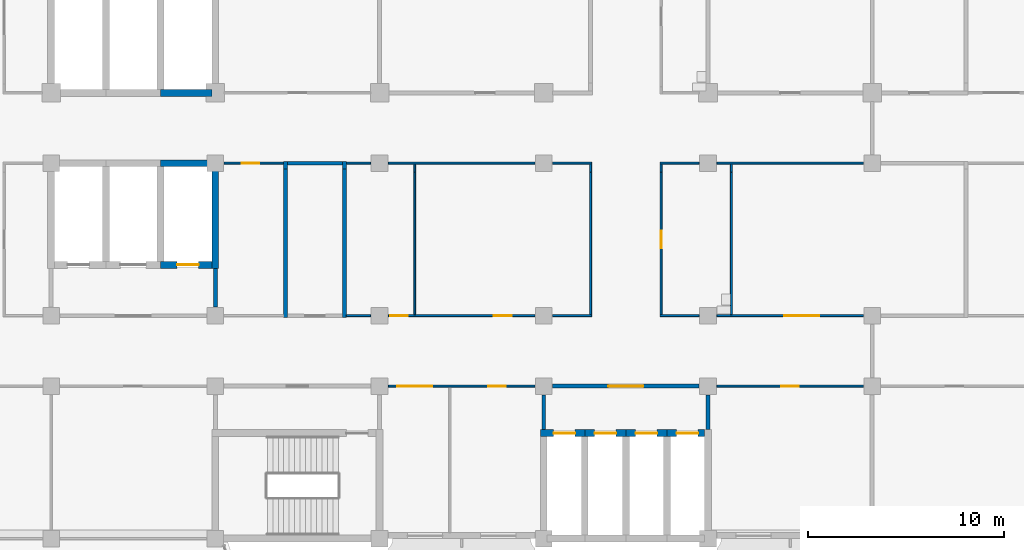
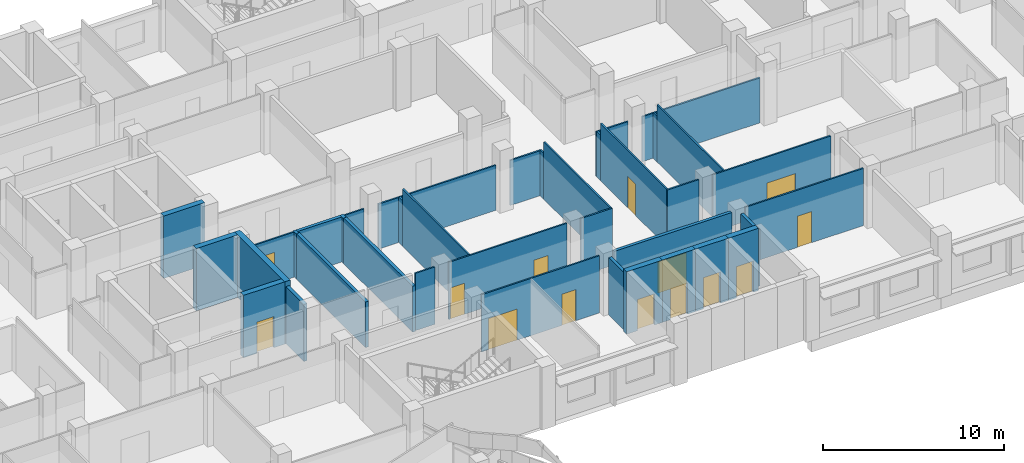
# One storey, part 59 of 109: 38 walls, 14 doors, 14 openings.
"""IFC4 building model written with IfcOpenShell, lengths in metres."""

from ifc_helpers import new_model, si_unit, direction, frame, frame_2d, origin, place, context, subcontext, project, spatial, rectangle, extrude, material, layer, layer_set, type_object, element, fill, save


model = new_model("IFC4")

# Units and contexts
model_context = context("Model", 3, precision=1e-05, world=origin(), true_north=direction((0.0, 1.0)))
body_context = subcontext(model_context, "Body", "Model", "MODEL_VIEW")
ifc_project = project(units=[si_unit("LENGTHUNIT", "METRE"), si_unit("AREAUNIT", "SQUARE_METRE"), si_unit("VOLUMEUNIT", "CUBIC_METRE"), si_unit("PLANEANGLEUNIT", "RADIAN"), si_unit("MASSUNIT", "GRAM", prefix="KILO")], contexts=[model_context])

# Site, building, storey
site_placement = place(None, origin())
site = spatial("IfcSite", under=ifc_project, at=site_placement, CompositionType="ELEMENT")
building_placement = place(site_placement, origin())
building = spatial("IfcBuilding", under=site, at=building_placement, Name="Bougainvillea Quay General Hospital", CompositionType="ELEMENT")
storey_placement = place(building_placement, frame((0.0, 0.0, 12.60009765625)))
storey = spatial("IfcBuildingStorey", under=building, at=storey_placement, Name="L02", CompositionType="ELEMENT", Elevation=12.60009765625)

# Wall, opening, door
ifc_material_1 = material(Name="Gypsum board partition on steel studs", Category="steel")
ifc_layer_1 = layer(ifc_material_1, 0.10009765625)
ifc_layer_set_1 = layer_set([ifc_layer_1], Name="Gypsum board partition on steel studs")
wall_type_1 = type_object("IfcWallType", Name="Partition 100 Gypsum board partition", PredefinedType="PARTITIONING", material=ifc_layer_set_1)
wall_1_placement = place(storey_placement, frame((79.10009765625, 136.800048828125, 0.0), z_axis=(0.0, 0.0, 1.0), x_axis=(-1.0, 0.0, 0.0)))
wall_1 = element("IfcWall", 1, at=wall_1_placement, inside=storey, type_object=wall_type_1, Name="Partition 100 mm", PredefinedType="PARTITIONING", context=body_context, shape_type="SweptSolid", body=[
    extrude(rectangle(XDim=3.050048828125, YDim=0.10009765625, at=frame_2d((1.52490234375, 0.0))), origin(), (0.0, 0.0, 1.0), 3.02978515625),
])
opening_1_placement = place(wall_1_placement, frame((1.25, 0.0, 0.0)))
opening_1 = element("IfcOpeningElement", 2, at=opening_1_placement, cuts=wall_1, Name="Opening L02.099", PredefinedType="OPENING", context=body_context, shape_type="SweptSolid", body=[
    extrude(rectangle(XDim=0.89990234375, YDim=2.10009765625, at=frame_2d((0.449951171875, 1.050048828125))), frame((0.0, 0.06005859375, 0.0), z_axis=(0.0, -1.0, 0.0), x_axis=(1.0, 0.0, 0.0)), (0.0, 0.0, 1.0), 0.1201171875),
])
ifc_material_2 = material(Name="Solid-core timber door leaf in steel frame", Category="steel")
door_type_1 = type_object("IfcDoorType", Name="Single leaf door 900x2100", OperationType="NOTDEFINED", PredefinedType="DOOR", material=ifc_material_2)
door_1_placement = place(opening_1_placement, origin())
door_1 = element("IfcDoor", 3, at=door_1_placement, inside=storey, type_object=door_type_1, Name="DT07 L02.099", OperationType="SINGLE_SWING_RIGHT", OverallHeight=2.10009765625, OverallWidth=0.89990234375, PredefinedType="DOOR", context=body_context, shape_type="SweptSolid", body=[
    extrude(rectangle(XDim=0.89990234375, YDim=2.10009765625, at=frame_2d((0.449951171875, 1.050048828125))), frame((0.0, 0.02490234375, 0.0), z_axis=(0.0, -1.0, 0.0), x_axis=(1.0, 0.0, 0.0)), (0.0, 0.0, 1.0), 0.050048828125),
])
fill(opening_1, door_1)

# Wall
wall_2_placement = place(storey_placement, frame((82.300048828125, 129.0, 0.0), z_axis=(0.0, 0.0, 1.0), x_axis=(1.0, 0.0, 0.0)))
element("IfcWall", 4, at=wall_2_placement, inside=storey, type_object=wall_type_1, Name="Partition 100 mm", PredefinedType="PARTITIONING", context=body_context, shape_type="SweptSolid", body=[
    extrude(rectangle(XDim=1.25, YDim=0.10009765625, at=frame_2d((0.625, 0.0))), origin(), (0.0, 0.0, 1.0), 3.849853515625),
])

# Wall, openings, doors
wall_3_placement = place(storey_placement, frame((84.449951171875, 129.0, 0.0), z_axis=(0.0, 0.0, 1.0), x_axis=(1.0, 0.0, 0.0)))
wall_3 = element("IfcWall", 5, at=wall_3_placement, inside=storey, type_object=wall_type_1, Name="Partition 100 mm", PredefinedType="PARTITIONING", context=body_context, shape_type="SweptSolid", body=[
    extrude(rectangle(XDim=7.5, YDim=0.10009765625, at=frame_2d((3.75, 0.0))), origin(), (0.0, 0.0, 1.0), 3.849853515625),
])
opening_2_placement = place(wall_3_placement, frame((0.10009765625, 0.0, 0.0)))
opening_2 = element("IfcOpeningElement", 6, at=opening_2_placement, cuts=wall_3, Name="Opening L02.101", PredefinedType="OPENING", context=body_context, shape_type="SweptSolid", body=[
    extrude(rectangle(XDim=0.89990234375, YDim=2.10009765625, at=frame_2d((0.449951171875, 1.050048828125))), frame((0.0, 0.06005859375, 0.0), z_axis=(0.0, -1.0, 0.0), x_axis=(1.0, 0.0, 0.0)), (0.0, 0.0, 1.0), 0.1201171875),
])
opening_3_placement = place(wall_3_placement, frame((5.39990234375, 0.0, 0.0)))
opening_3 = element("IfcOpeningElement", 7, at=opening_3_placement, cuts=wall_3, Name="Opening L02.102", PredefinedType="OPENING", context=body_context, shape_type="SweptSolid", body=[
    extrude(rectangle(XDim=0.89990234375, YDim=2.10009765625, at=frame_2d((0.449951171875, 1.050048828125))), frame((0.0, 0.06005859375, 0.0), z_axis=(0.0, -1.0, 0.0), x_axis=(1.0, 0.0, 0.0)), (0.0, 0.0, 1.0), 0.1201171875),
])
door_2_placement = place(opening_2_placement, origin())
door_2 = element("IfcDoor", 8, at=door_2_placement, inside=storey, type_object=door_type_1, Name="DT07 L02.101", OperationType="SINGLE_SWING_LEFT", OverallHeight=2.10009765625, OverallWidth=0.89990234375, PredefinedType="DOOR", context=body_context, shape_type="SweptSolid", body=[
    extrude(rectangle(XDim=0.89990234375, YDim=2.10009765625, at=frame_2d((0.449951171875, 1.050048828125))), frame((0.0, 0.02490234375, 0.0), z_axis=(0.0, -1.0, 0.0), x_axis=(1.0, 0.0, 0.0)), (0.0, 0.0, 1.0), 0.050048828125),
])
fill(opening_2, door_2)
door_3_placement = place(opening_3_placement, origin())
door_3 = element("IfcDoor", 9, at=door_3_placement, inside=storey, type_object=door_type_1, Name="DT07 L02.102", OperationType="SINGLE_SWING_RIGHT", OverallHeight=2.10009765625, OverallWidth=0.89990234375, PredefinedType="DOOR", context=body_context, shape_type="SweptSolid", body=[
    extrude(rectangle(XDim=0.89990234375, YDim=2.10009765625, at=frame_2d((0.449951171875, 1.050048828125))), frame((0.0, 0.02490234375, 0.0), z_axis=(0.0, -1.0, 0.0), x_axis=(1.0, 0.0, 0.0)), (0.0, 0.0, 1.0), 0.050048828125),
])
fill(opening_3, door_3)

# Walls
wall_4_placement = place(storey_placement, frame((92.85009765625, 129.0, 0.0), z_axis=(0.0, 0.0, 1.0), x_axis=(1.0, 0.0, 0.0)))
element("IfcWall", 10, at=wall_4_placement, inside=storey, type_object=wall_type_1, Name="Partition 100 mm", PredefinedType="PARTITIONING", context=body_context, shape_type="SweptSolid", body=[
    extrude(rectangle(XDim=2.0, YDim=0.10009765625, at=frame_2d((1.0, 0.0))), origin(), (0.0, 0.0, 1.0), 3.849853515625),
])
wall_5_placement = place(storey_placement, frame((82.300048828125, 136.800048828125, 0.0), z_axis=(0.0, 0.0, 1.0), x_axis=(1.0, 0.0, 0.0)))
element("IfcWall", 11, at=wall_5_placement, inside=storey, type_object=wall_type_1, Name="Partition 100 mm", PredefinedType="PARTITIONING", context=body_context, shape_type="SweptSolid", body=[
    extrude(rectangle(XDim=1.25, YDim=0.10009765625, at=frame_2d((0.625, 0.0))), origin(), (0.0, 0.0, 1.0), 3.02978515625),
])
wall_6_placement = place(storey_placement, frame((84.449951171875, 136.800048828125, 0.0), z_axis=(0.0, 0.0, 1.0), x_axis=(1.0, 0.0, 0.0)))
element("IfcWall", 12, at=wall_6_placement, inside=storey, type_object=wall_type_1, Name="Partition 100 mm", PredefinedType="PARTITIONING", context=body_context, shape_type="SweptSolid", body=[
    extrude(rectangle(XDim=7.5, YDim=0.10009765625, at=frame_2d((3.75, 0.0))), origin(), (0.0, 0.0, 1.0), 3.02978515625),
])
wall_7_placement = place(storey_placement, frame((92.85009765625, 136.800048828125, 0.0), z_axis=(0.0, 0.0, 1.0), x_axis=(1.0, 0.0, 0.0)))
element("IfcWall", 13, at=wall_7_placement, inside=storey, type_object=wall_type_1, Name="Partition 100 mm", PredefinedType="PARTITIONING", context=body_context, shape_type="SweptSolid", body=[
    extrude(rectangle(XDim=2.0, YDim=0.10009765625, at=frame_2d((1.0, 0.0))), origin(), (0.0, 0.0, 1.0), 3.02978515625),
])
wall_8_placement = place(storey_placement, frame((98.35009765625, 129.0, 0.0), z_axis=(0.0, 0.0, 1.0), x_axis=(1.0, 0.0, 0.0)))
element("IfcWall", 14, at=wall_8_placement, inside=storey, type_object=wall_type_1, Name="Partition 100 mm", PredefinedType="PARTITIONING", context=body_context, shape_type="SweptSolid", body=[
    extrude(rectangle(XDim=2.0, YDim=0.10009765625, at=frame_2d((1.0, 0.0))), origin(), (0.0, 0.0, 1.0), 3.849853515625),
])

# Wall, opening, door
wall_9_placement = place(storey_placement, frame((101.25, 129.0, 0.0), z_axis=(0.0, 0.0, 1.0), x_axis=(1.0, 0.0, 0.0)))
wall_9 = element("IfcWall", 15, at=wall_9_placement, inside=storey, type_object=wall_type_1, Name="Partition 100 mm", PredefinedType="PARTITIONING", context=body_context, shape_type="SweptSolid", body=[
    extrude(rectangle(XDim=7.5, YDim=0.10009765625, at=frame_2d((3.75, 0.0))), origin(), (0.0, 0.0, 1.0), 3.849853515625),
])
opening_4_placement = place(wall_9_placement, frame((3.449951171875, 0.0, 0.0)))
opening_4 = element("IfcOpeningElement", 16, at=opening_4_placement, cuts=wall_9, Name="Opening L02.104", PredefinedType="OPENING", context=body_context, shape_type="SweptSolid", body=[
    extrude(rectangle(XDim=1.800048828125, YDim=2.10009765625, at=frame_2d((0.89990234375, 1.050048828125))), frame((0.0, 0.06005859375, 0.0), z_axis=(0.0, -1.0, 0.0), x_axis=(1.0, 0.0, 0.0)), (0.0, 0.0, 1.0), 0.1201171875),
])
ifc_material_3 = material(Name="Solid-core timber door leaves in steel frame", Category="steel")
door_type_2 = type_object("IfcDoorType", Name="Double leaf door 1800x2100", OperationType="DOUBLE_DOOR_SINGLE_SWING", PredefinedType="DOOR", material=ifc_material_3)
door_4_placement = place(opening_4_placement, origin())
door_4 = element("IfcDoor", 17, at=door_4_placement, inside=storey, type_object=door_type_2, Name="DT08 L02.104", OperationType="DOUBLE_DOOR_SINGLE_SWING", OverallHeight=2.10009765625, OverallWidth=1.800048828125, PredefinedType="DOOR", context=body_context, shape_type="SweptSolid", body=[
    extrude(rectangle(XDim=1.800048828125, YDim=2.10009765625, at=frame_2d((0.89990234375, 1.050048828125))), frame((0.0, 0.02490234375, 0.0), z_axis=(0.0, -1.0, 0.0), x_axis=(1.0, 0.0, 0.0)), (0.0, 0.0, 1.0), 0.050048828125),
])
fill(opening_4, door_4)

# Walls
wall_10_placement = place(storey_placement, frame((98.35009765625, 136.800048828125, 0.0), z_axis=(0.0, 0.0, 1.0), x_axis=(1.0, 0.0, 0.0)))
element("IfcWall", 18, at=wall_10_placement, inside=storey, type_object=wall_type_1, Name="Partition 100 mm", PredefinedType="PARTITIONING", context=body_context, shape_type="SweptSolid", body=[
    extrude(rectangle(XDim=2.0, YDim=0.10009765625, at=frame_2d((1.0, 0.0))), origin(), (0.0, 0.0, 1.0), 3.02978515625),
])
wall_11_placement = place(storey_placement, frame((101.25, 136.800048828125, 0.0), z_axis=(0.0, 0.0, 1.0), x_axis=(1.0, 0.0, 0.0)))
element("IfcWall", 19, at=wall_11_placement, inside=storey, type_object=wall_type_1, Name="Partition 100 mm", PredefinedType="PARTITIONING", context=body_context, shape_type="SweptSolid", body=[
    extrude(rectangle(XDim=7.5, YDim=0.10009765625, at=frame_2d((3.75, 0.0))), origin(), (0.0, 0.0, 1.0), 3.02978515625),
])

# Wall, openings, doors
wall_12_placement = place(storey_placement, frame((91.949951171875, 125.39990234375, 0.0), z_axis=(0.0, 0.0, 1.0), x_axis=(-1.0, 0.0, 0.0)))
wall_12 = element("IfcWall", 20, at=wall_12_placement, inside=storey, type_object=wall_type_1, Name="Partition 100 mm", PredefinedType="PARTITIONING", context=body_context, shape_type="SweptSolid", body=[
    extrude(rectangle(XDim=7.5, YDim=0.10009765625, at=frame_2d((3.75, 0.0))), origin(), (0.0, 0.0, 1.0), 3.849853515625),
])
opening_5_placement = place(wall_12_placement, frame((5.2509765625, 0.0, 0.0)))
opening_5 = element("IfcOpeningElement", 21, at=opening_5_placement, cuts=wall_12, Name="Opening L02.095", PredefinedType="OPENING", context=body_context, shape_type="SweptSolid", body=[
    extrude(rectangle(XDim=1.800048828125, YDim=2.10009765625, at=frame_2d((0.89990234375, 1.050048828125))), frame((0.0, 0.06005859375, 0.0), z_axis=(0.0, -1.0, 0.0), x_axis=(1.0, 0.0, 0.0)), (0.0, 0.0, 1.0), 0.1201171875),
])
opening_6_placement = place(wall_12_placement, frame((1.501953125, 0.0, 0.0)))
opening_6 = element("IfcOpeningElement", 22, at=opening_6_placement, cuts=wall_12, Name="Opening L02.096", PredefinedType="OPENING", context=body_context, shape_type="SweptSolid", body=[
    extrude(rectangle(XDim=0.89990234375, YDim=2.10009765625, at=frame_2d((0.449951171875, 1.050048828125))), frame((0.0, 0.06005859375, 0.0), z_axis=(0.0, -1.0, 0.0), x_axis=(1.0, 0.0, 0.0)), (0.0, 0.0, 1.0), 0.1201171875),
])
door_5_placement = place(opening_5_placement, origin())
door_5 = element("IfcDoor", 23, at=door_5_placement, inside=storey, type_object=door_type_2, Name="DT08 L02.095", OperationType="DOUBLE_DOOR_SINGLE_SWING", OverallHeight=2.10009765625, OverallWidth=1.800048828125, PredefinedType="DOOR", context=body_context, shape_type="SweptSolid", body=[
    extrude(rectangle(XDim=1.800048828125, YDim=2.10009765625, at=frame_2d((0.89990234375, 1.050048828125))), frame((0.0, 0.02490234375, 0.0), z_axis=(0.0, -1.0, 0.0), x_axis=(1.0, 0.0, 0.0)), (0.0, 0.0, 1.0), 0.050048828125),
])
fill(opening_5, door_5)
door_6_placement = place(opening_6_placement, origin())
door_6 = element("IfcDoor", 24, at=door_6_placement, inside=storey, type_object=door_type_1, Name="DT07 L02.096", OperationType="SINGLE_SWING_LEFT", OverallHeight=2.10009765625, OverallWidth=0.89990234375, PredefinedType="DOOR", context=body_context, shape_type="SweptSolid", body=[
    extrude(rectangle(XDim=0.89990234375, YDim=2.10009765625, at=frame_2d((0.449951171875, 1.050048828125))), frame((0.0, 0.02490234375, 0.0), z_axis=(0.0, -1.0, 0.0), x_axis=(1.0, 0.0, 0.0)), (0.0, 0.0, 1.0), 0.050048828125),
])
fill(opening_6, door_6)

# Wall, opening, door
wall_13_placement = place(storey_placement, frame((101.25, 125.39990234375, 0.0), z_axis=(0.0, 0.0, 1.0), x_axis=(1.0, 0.0, 0.0)))
wall_13 = element("IfcWall", 25, at=wall_13_placement, inside=storey, type_object=wall_type_1, Name="Partition 100 mm", PredefinedType="PARTITIONING", context=body_context, shape_type="SweptSolid", body=[
    extrude(rectangle(XDim=7.5, YDim=0.10009765625, at=frame_2d((3.75, 0.0))), origin(), (0.0, 0.0, 1.0), 3.849853515625),
])
opening_7_placement = place(wall_13_placement, frame((3.299072265625, 0.0, 0.0)))
opening_7 = element("IfcOpeningElement", 26, at=opening_7_placement, cuts=wall_13, Name="Opening L02.097", PredefinedType="OPENING", context=body_context, shape_type="SweptSolid", body=[
    extrude(rectangle(XDim=0.89990234375, YDim=2.10009765625, at=frame_2d((0.449951171875, 1.050048828125))), frame((0.0, 0.06005859375, 0.0), z_axis=(0.0, -1.0, 0.0), x_axis=(1.0, 0.0, 0.0)), (0.0, 0.0, 1.0), 0.1201171875),
])
door_7_placement = place(opening_7_placement, frame((0.89990234375, 0.0, 0.0), z_axis=(0.0, 0.0, 1.0), x_axis=(-1.0, 0.0, 0.0)))
door_7 = element("IfcDoor", 27, at=door_7_placement, inside=storey, type_object=door_type_1, Name="DT07 L02.097", OperationType="SINGLE_SWING_RIGHT", OverallHeight=2.10009765625, OverallWidth=0.89990234375, PredefinedType="DOOR", context=body_context, shape_type="SweptSolid", body=[
    extrude(rectangle(XDim=0.89990234375, YDim=2.10009765625, at=frame_2d((0.449951171875, 1.050048828125))), frame((0.0, 0.02490234375, 0.0), z_axis=(0.0, -1.0, 0.0), x_axis=(1.0, 0.0, 0.0)), (0.0, 0.0, 1.0), 0.050048828125),
])
fill(opening_7, door_7)

# Walls
wall_14_placement = place(storey_placement, frame((85.800048828125, 129.050048828125, 0.0), z_axis=(0.0, 0.0, 1.0), x_axis=(0.0, 1.0, 0.0)))
element("IfcWall", 28, at=wall_14_placement, inside=storey, type_object=wall_type_1, Name="Partition 100 mm", PredefinedType="PARTITIONING", context=body_context, shape_type="SweptSolid", body=[
    extrude(rectangle(XDim=7.300048828125, YDim=0.10009765625, at=frame_2d((3.64990234375, 0.0))), origin(), (0.0, 0.0, 1.0), 3.849853515625),
])
wall_15_placement = place(storey_placement, frame((85.800048828125, 136.35009765625, 0.0), z_axis=(0.0, 0.0, 1.0), x_axis=(0.0, 1.0, 0.0)))
element("IfcWall", 29, at=wall_15_placement, inside=storey, type_object=wall_type_1, Name="Partition 100 mm", PredefinedType="PARTITIONING", context=body_context, shape_type="SweptSolid", body=[
    extrude(rectangle(XDim=0.39990234375, YDim=0.10009765625, at=frame_2d((0.199951171875, 0.0))), origin(), (0.0, 0.0, 1.0), 3.079833984375),
])
wall_16_placement = place(storey_placement, frame((94.800048828125, 129.050048828125, 0.0), z_axis=(0.0, 0.0, 1.0), x_axis=(0.0, 1.0, 0.0)))
element("IfcWall", 30, at=wall_16_placement, inside=storey, type_object=wall_type_1, Name="Partition 100 mm", PredefinedType="PARTITIONING", context=body_context, shape_type="SweptSolid", body=[
    extrude(rectangle(XDim=7.300048828125, YDim=0.10009765625, at=frame_2d((3.64990234375, 0.0))), origin(), (0.0, 0.0, 1.0), 3.849853515625),
])
wall_17_placement = place(storey_placement, frame((94.800048828125, 136.35009765625, 0.0), z_axis=(0.0, 0.0, 1.0), x_axis=(0.0, 1.0, 0.0)))
element("IfcWall", 31, at=wall_17_placement, inside=storey, type_object=wall_type_1, Name="Partition 100 mm", PredefinedType="PARTITIONING", context=body_context, shape_type="SweptSolid", body=[
    extrude(rectangle(XDim=0.39990234375, YDim=0.10009765625, at=frame_2d((0.199951171875, 0.0))), origin(), (0.0, 0.0, 1.0), 3.079833984375),
])

# Wall, opening, door
wall_18_placement = place(storey_placement, frame((98.39990234375, 129.050048828125, 0.0), z_axis=(0.0, 0.0, 1.0), x_axis=(0.0, 1.0, 0.0)))
wall_18 = element("IfcWall", 32, at=wall_18_placement, inside=storey, type_object=wall_type_1, Name="Partition 100 mm", PredefinedType="PARTITIONING", context=body_context, shape_type="SweptSolid", body=[
    extrude(rectangle(XDim=7.300048828125, YDim=0.10009765625, at=frame_2d((3.64990234375, 0.0))), origin(), (0.0, 0.0, 1.0), 3.849853515625),
])
opening_8_placement = place(wall_18_placement, frame((3.39990234375, 0.0, 0.0)))
opening_8 = element("IfcOpeningElement", 33, at=opening_8_placement, cuts=wall_18, Name="Opening L02.103", PredefinedType="OPENING", context=body_context, shape_type="SweptSolid", body=[
    extrude(rectangle(XDim=0.89990234375, YDim=2.10009765625, at=frame_2d((0.449951171875, 1.050048828125))), frame((0.0, 0.06005859375, 0.0), z_axis=(0.0, -1.0, 0.0), x_axis=(1.0, 0.0, 0.0)), (0.0, 0.0, 1.0), 0.1201171875),
])
door_8_placement = place(opening_8_placement, frame((0.89990234375, 0.0, 0.0), z_axis=(0.0, 0.0, 1.0), x_axis=(-1.0, 0.0, 0.0)))
door_8 = element("IfcDoor", 34, at=door_8_placement, inside=storey, type_object=door_type_1, Name="DT07 L02.103", OperationType="SINGLE_SWING_LEFT", OverallHeight=2.10009765625, OverallWidth=0.89990234375, PredefinedType="DOOR", context=body_context, shape_type="SweptSolid", body=[
    extrude(rectangle(XDim=0.89990234375, YDim=2.10009765625, at=frame_2d((0.449951171875, 1.050048828125))), frame((0.0, 0.02490234375, 0.0), z_axis=(0.0, -1.0, 0.0), x_axis=(1.0, 0.0, 0.0)), (0.0, 0.0, 1.0), 0.050048828125),
])
fill(opening_8, door_8)

# Walls
wall_19_placement = place(storey_placement, frame((98.39990234375, 136.35009765625, 0.0), z_axis=(0.0, 0.0, 1.0), x_axis=(0.0, 1.0, 0.0)))
element("IfcWall", 35, at=wall_19_placement, inside=storey, type_object=wall_type_1, Name="Partition 100 mm", PredefinedType="PARTITIONING", context=body_context, shape_type="SweptSolid", body=[
    extrude(rectangle(XDim=0.39990234375, YDim=0.10009765625, at=frame_2d((0.199951171875, 0.0))), origin(), (0.0, 0.0, 1.0), 3.079833984375),
])
wall_20_placement = place(storey_placement, frame((102.0, 129.050048828125, 0.0), z_axis=(0.0, 0.0, 1.0), x_axis=(0.0, 1.0, 0.0)))
element("IfcWall", 36, at=wall_20_placement, inside=storey, type_object=wall_type_1, Name="Partition 100 mm", PredefinedType="PARTITIONING", context=body_context, shape_type="SweptSolid", body=[
    extrude(rectangle(XDim=7.300048828125, YDim=0.10009765625, at=frame_2d((3.64990234375, 0.0))), origin(), (0.0, 0.0, 1.0), 3.849853515625),
])
wall_21_placement = place(storey_placement, frame((102.0, 136.35009765625, 0.0), z_axis=(0.0, 0.0, 1.0), x_axis=(0.0, 1.0, 0.0)))
element("IfcWall", 37, at=wall_21_placement, inside=storey, type_object=wall_type_1, Name="Partition 100 mm", PredefinedType="PARTITIONING", context=body_context, shape_type="SweptSolid", body=[
    extrude(rectangle(XDim=0.39990234375, YDim=0.10009765625, at=frame_2d((0.199951171875, 0.0))), origin(), (0.0, 0.0, 1.0), 3.079833984375),
])

# Wall, opening, door
ifc_material_4 = material(Name="Fire-rated autoclaved aerated block wall, plastered")
ifc_layer_2 = layer(ifc_material_4, 0.199951171875)
ifc_layer_set_2 = layer_set([ifc_layer_2], Name="Fire-rated autoclaved aerated block wall, plastered")
wall_type_2 = type_object("IfcWallType", Name="Partition 200 Fire-rated autoclaved aerated block wall EI 120", PredefinedType="SOLIDWALL", material=ifc_layer_set_2)
wall_22_placement = place(storey_placement, frame((92.85009765625, 125.39990234375, 0.0), z_axis=(0.0, 0.0, 1.0), x_axis=(1.0, 0.0, 0.0)))
wall_22 = element("IfcWall", 38, at=wall_22_placement, inside=storey, type_object=wall_type_2, Name="Partition 200 mm EI 120", PredefinedType="SOLIDWALL", context=body_context, shape_type="SweptSolid", body=[
    extrude(rectangle(XDim=7.5, YDim=0.199951171875, at=frame_2d((3.75, 0.0))), origin(), (0.0, 0.0, 1.0), 3.849853515625),
])
opening_9_placement = place(wall_22_placement, frame((2.85009765625, 0.0, 0.0)))
opening_9 = element("IfcOpeningElement", 39, at=opening_9_placement, cuts=wall_22, Name="Opening L02.048", PredefinedType="OPENING", context=body_context, shape_type="SweptSolid", body=[
    extrude(rectangle(XDim=1.800048828125, YDim=2.10009765625, at=frame_2d((0.89990234375, 1.050048828125))), frame((0.0, 0.10986328125, 0.0), z_axis=(0.0, -1.0, 0.0), x_axis=(1.0, 0.0, 0.0)), (0.0, 0.0, 1.0), 0.219970703125),
])
ifc_material_5 = material(Name="Steel fire door leaves in steel frame", Category="steel")
door_type_3 = type_object("IfcDoorType", Name="Steel double leaf door 1800x2100 FD60", OperationType="DOUBLE_DOOR_SINGLE_SWING", PredefinedType="DOOR", material=ifc_material_5)
door_9_placement = place(opening_9_placement, frame((1.800048828125, 0.0, 0.0), z_axis=(0.0, 0.0, 1.0), x_axis=(-1.0, 0.0, 0.0)))
door_9 = element("IfcDoor", 40, at=door_9_placement, inside=storey, type_object=door_type_3, Name="DT05 L02.048", OperationType="DOUBLE_DOOR_SINGLE_SWING", OverallHeight=2.10009765625, OverallWidth=1.800048828125, PredefinedType="DOOR", context=body_context, shape_type="SweptSolid", body=[
    extrude(rectangle(XDim=1.800048828125, YDim=2.10009765625, at=frame_2d((0.89990234375, 1.050048828125))), frame((0.0, 0.02490234375, 0.0), z_axis=(0.0, -1.0, 0.0), x_axis=(1.0, 0.0, 0.0)), (0.0, 0.0, 1.0), 0.050048828125),
])
fill(opening_9, door_9)

# Walls
wall_23_placement = place(storey_placement, frame((75.60009765625, 129.449951171875, 0.0), z_axis=(0.0, 0.0, 1.0), x_axis=(0.0, 1.0, 0.0)))
element("IfcWall", 41, at=wall_23_placement, inside=storey, type_object=wall_type_2, Name="Partition 200 mm EI 120", PredefinedType="SOLIDWALL", context=body_context, shape_type="SweptSolid", body=[
    extrude(rectangle(XDim=1.97509765625, YDim=0.199951171875, at=frame_2d((0.987548828125, 0.0))), origin(), (0.0, 0.0, 1.0), 3.849853515625),
])
for number, where, z_axis, x_axis, name in (
    (42, (92.39990234375, 123.175048828125, 0.0), (0.0, 0.0, 1.0), (0.0, 1.0, 0.0), "Partition 200 mm EI 120"),
    (43, (100.800048828125, 123.175048828125, 0.0), (0.0, 0.0, 1.0), (0.0, 1.0, 0.0), "Partition 200 mm EI 120"),
):
    element("IfcWall", number, at=place(storey_placement, frame(where, z_axis=z_axis, x_axis=x_axis)), inside=storey, type_object=wall_type_2, Name=name, PredefinedType="SOLIDWALL", context=body_context, shape_type="SweptSolid", body=[
        extrude(rectangle(XDim=1.77490234375, YDim=0.199951171875, at=frame_2d((0.887451171875, 0.0))), origin(), (0.0, 0.0, 1.0), 3.849853515625),
    ])
ifc_layer_3 = layer(ifc_material_4, 0.199951171875)
ifc_layer_set_3 = layer_set([ifc_layer_3], Name="Fire-rated autoclaved aerated block wall, plastered")
wall_type_3 = type_object("IfcWallType", Name="Partition 200 Fire-rated autoclaved aerated block wall EI 60", PredefinedType="SOLIDWALL", material=ifc_layer_set_3)
wall_24_placement = place(storey_placement, frame((79.199951171875, 128.89990234375, 0.0), z_axis=(0.0, 0.0, 1.0), x_axis=(0.0, 1.0, 0.0)))
element("IfcWall", 44, at=wall_24_placement, inside=storey, type_object=wall_type_3, Name="Partition 200 mm EI 60", PredefinedType="SOLIDWALL", context=body_context, shape_type="SweptSolid", body=[
    extrude(rectangle(XDim=7.60009765625, YDim=0.199951171875, at=frame_2d((3.800048828125, 0.0))), origin(), (0.0, 0.0, 1.0), 3.079833984375),
])
wall_25_placement = place(storey_placement, frame((79.199951171875, 136.5, 0.0), z_axis=(0.0, 0.0, 1.0), x_axis=(0.0, 1.0, 0.0)))
element("IfcWall", 45, at=wall_25_placement, inside=storey, type_object=wall_type_3, Name="Partition 200 mm EI 60", PredefinedType="SOLIDWALL", context=body_context, shape_type="SweptSolid", body=[
    extrude(rectangle(XDim=0.39990234375, YDim=0.199951171875, at=frame_2d((0.199951171875, 0.0))), origin(), (0.0, 0.0, 1.0), 3.02978515625),
])
wall_26_placement = place(storey_placement, frame((82.199951171875, 128.89990234375, 0.0), z_axis=(0.0, 0.0, 1.0), x_axis=(0.0, 1.0, 0.0)))
element("IfcWall", 46, at=wall_26_placement, inside=storey, type_object=wall_type_3, Name="Partition 200 mm EI 60", PredefinedType="SOLIDWALL", context=body_context, shape_type="SweptSolid", body=[
    extrude(rectangle(XDim=7.60009765625, YDim=0.199951171875, at=frame_2d((3.800048828125, 0.0))), origin(), (0.0, 0.0, 1.0), 3.079833984375),
])
wall_27_placement = place(storey_placement, frame((82.199951171875, 136.5, 0.0), z_axis=(0.0, 0.0, 1.0), x_axis=(0.0, 1.0, 0.0)))
element("IfcWall", 47, at=wall_27_placement, inside=storey, type_object=wall_type_3, Name="Partition 200 mm EI 60", PredefinedType="SOLIDWALL", context=body_context, shape_type="SweptSolid", body=[
    extrude(rectangle(XDim=0.39990234375, YDim=0.199951171875, at=frame_2d((0.199951171875, 0.0))), origin(), (0.0, 0.0, 1.0), 3.02978515625),
])
wall_28_placement = place(storey_placement, frame((79.300048828125, 136.800048828125, 0.0), z_axis=(0.0, 0.0, 1.0), x_axis=(1.0, 0.0, 0.0)))
element("IfcWall", 48, at=wall_28_placement, inside=storey, type_object=wall_type_3, Name="Partition 200 mm EI 60", PredefinedType="SOLIDWALL", context=body_context, shape_type="SweptSolid", body=[
    extrude(rectangle(XDim=2.800048828125, YDim=0.199951171875, at=frame_2d((1.39990234375, 0.0))), origin(), (0.0, 0.0, 1.0), 3.02978515625),
])

# Wall, opening, door
ifc_material_6 = material(Name="Concrete C40", Category="concrete")
ifc_layer_4 = layer(ifc_material_6, 0.35009765625)
ifc_layer_set_4 = layer_set([ifc_layer_4], Name="Concrete C40")
wall_type_4 = type_object("IfcWallType", Name="RC SHEAR WALL 350 C40", PredefinedType="SHEAR", material=ifc_layer_set_4)
wall_29_placement = place(storey_placement, frame((72.800048828125, 131.60009765625, 0.0), z_axis=(0.0, 0.0, 1.0), x_axis=(1.0, 0.0, 0.0)))
wall_29 = element("IfcWall", 49, at=wall_29_placement, inside=storey, type_object=wall_type_4, Name="Shear wall L02", PredefinedType="SHEAR", context=body_context, shape_type="SweptSolid", body=[
    extrude(rectangle(XDim=2.625, YDim=0.35009765625, at=frame_2d((1.3125, 0.0))), origin(), (0.0, 0.0, 1.0), 4.199951171875),
])
opening_10_placement = place(wall_29_placement, frame((0.85009765625, 0.0, 0.0)))
opening_10 = element("IfcOpeningElement", 50, at=opening_10_placement, cuts=wall_29, Name="Opening LD-B1.3-L02", PredefinedType="OPENING", context=body_context, shape_type="SweptSolid", body=[
    extrude(rectangle(XDim=1.10009765625, YDim=2.10009765625, at=frame_2d((0.550048828125, 1.050048828125))), frame((0.0, 0.18505859375, 0.0), z_axis=(0.0, -1.0, 0.0), x_axis=(1.0, 0.0, 0.0)), (0.0, 0.0, 1.0), 0.3701171875),
])
ifc_material_7 = material(Name="Stainless steel centre-opening landing door", Category="steel")
door_type_4 = type_object("IfcDoorType", Name="Lift landing door 1100x2100 E 120", OperationType="DOUBLE_DOOR_SLIDING", PredefinedType="DOOR", material=ifc_material_7)
door_10_placement = place(opening_10_placement, origin())
door_10 = element("IfcDoor", 51, at=door_10_placement, inside=storey, type_object=door_type_4, Name="Lift landing door LB-B1-3 L02", OperationType="DOUBLE_DOOR_SLIDING", OverallHeight=2.10009765625, OverallWidth=1.10009765625, PredefinedType="DOOR", context=body_context, shape_type="SweptSolid", body=[
    extrude(rectangle(XDim=1.10009765625, YDim=2.10009765625, at=frame_2d((0.550048828125, 1.050048828125))), frame((0.0, 0.02490234375, 0.0), z_axis=(0.0, -1.0, 0.0), x_axis=(1.0, 0.0, 0.0)), (0.0, 0.0, 1.0), 0.050048828125),
])
fill(opening_10, door_10)

# Walls
for number, where, z_axis, x_axis, name in (
    (52, (72.800048828125, 136.800048828125, 0.0), (0.0, 0.0, 1.0), (1.0, 0.0, 0.0), "Shear wall L02"),
    (53, (72.800048828125, 140.39990234375, 0.0), (0.0, 0.0, 1.0), (1.0, 0.0, 0.0), "Shear wall L02"),
):
    element("IfcWall", number, at=place(storey_placement, frame(where, z_axis=z_axis, x_axis=x_axis)), inside=storey, type_object=wall_type_4, Name=name, PredefinedType="SHEAR", context=body_context, shape_type="SweptSolid", body=[
        extrude(rectangle(XDim=2.625, YDim=0.35009765625, at=frame_2d((1.3125, 0.0))), origin(), (0.0, 0.0, 1.0), 4.199951171875),
    ])
wall_30_placement = place(storey_placement, frame((75.60009765625, 131.425048828125, 0.0), z_axis=(0.0, 0.0, 1.0), x_axis=(0.0, 1.0, 0.0)))
element("IfcWall", 54, at=wall_30_placement, inside=storey, type_object=wall_type_4, Name="Shear wall L02", PredefinedType="SHEAR", context=body_context, shape_type="SweptSolid", body=[
    extrude(rectangle(XDim=5.550048828125, YDim=0.35009765625, at=frame_2d((2.77490234375, 0.0))), origin(), (0.0, 0.0, 1.0), 4.199951171875),
])

# Wall, opening, door
wall_31_placement = place(storey_placement, frame((92.22509765625, 123.0, 0.0), z_axis=(0.0, 0.0, 1.0), x_axis=(1.0, 0.0, 0.0)))
wall_31 = element("IfcWall", 55, at=wall_31_placement, inside=storey, type_object=wall_type_4, Name="Shear wall L02", PredefinedType="SHEAR", context=body_context, shape_type="SweptSolid", body=[
    extrude(rectangle(XDim=2.27490234375, YDim=0.35009765625, at=frame_2d((1.137451171875, 0.0))), origin(), (0.0, 0.0, 1.0), 4.199951171875),
])
opening_11_placement = place(wall_31_placement, frame((0.675048828125, 0.0, 0.0)))
opening_11 = element("IfcOpeningElement", 56, at=opening_11_placement, cuts=wall_31, Name="Opening LD-P1.1-L02", PredefinedType="OPENING", context=body_context, shape_type="SweptSolid", body=[
    extrude(rectangle(XDim=1.10009765625, YDim=2.10009765625, at=frame_2d((0.550048828125, 1.050048828125))), frame((0.0, 0.18505859375, 0.0), z_axis=(0.0, -1.0, 0.0), x_axis=(1.0, 0.0, 0.0)), (0.0, 0.0, 1.0), 0.3701171875),
])
door_11_placement = place(opening_11_placement, origin())
door_11 = element("IfcDoor", 57, at=door_11_placement, inside=storey, type_object=door_type_4, Name="Lift landing door LB-P1-1 L02", OperationType="DOUBLE_DOOR_SLIDING", OverallHeight=2.10009765625, OverallWidth=1.10009765625, PredefinedType="DOOR", context=body_context, shape_type="SweptSolid", body=[
    extrude(rectangle(XDim=1.10009765625, YDim=2.10009765625, at=frame_2d((0.550048828125, 1.050048828125))), frame((0.0, 0.02490234375, 0.0), z_axis=(0.0, -1.0, 0.0), x_axis=(1.0, 0.0, 0.0)), (0.0, 0.0, 1.0), 0.050048828125),
])
fill(opening_11, door_11)

wall_32_placement = place(storey_placement, frame((94.5, 123.0, 0.0), z_axis=(0.0, 0.0, 1.0), x_axis=(1.0, 0.0, 0.0)))
wall_32 = element("IfcWall", 58, at=wall_32_placement, inside=storey, type_object=wall_type_4, Name="Shear wall L02", PredefinedType="SHEAR", context=body_context, shape_type="SweptSolid", body=[
    extrude(rectangle(XDim=2.10009765625, YDim=0.35009765625, at=frame_2d((1.050048828125, 0.0))), origin(), (0.0, 0.0, 1.0), 4.199951171875),
])
opening_12_placement = place(wall_32_placement, frame((0.5, 0.0, 0.0)))
opening_12 = element("IfcOpeningElement", 59, at=opening_12_placement, cuts=wall_32, Name="Opening LD-P1.2-L02", PredefinedType="OPENING", context=body_context, shape_type="SweptSolid", body=[
    extrude(rectangle(XDim=1.10009765625, YDim=2.10009765625, at=frame_2d((0.550048828125, 1.050048828125))), frame((0.0, 0.18505859375, 0.0), z_axis=(0.0, -1.0, 0.0), x_axis=(1.0, 0.0, 0.0)), (0.0, 0.0, 1.0), 0.3701171875),
])
door_12_placement = place(opening_12_placement, origin())
door_12 = element("IfcDoor", 60, at=door_12_placement, inside=storey, type_object=door_type_4, Name="Lift landing door LB-P1-2 L02", OperationType="DOUBLE_DOOR_SLIDING", OverallHeight=2.10009765625, OverallWidth=1.10009765625, PredefinedType="DOOR", context=body_context, shape_type="SweptSolid", body=[
    extrude(rectangle(XDim=1.10009765625, YDim=2.10009765625, at=frame_2d((0.550048828125, 1.050048828125))), frame((0.0, 0.02490234375, 0.0), z_axis=(0.0, -1.0, 0.0), x_axis=(1.0, 0.0, 0.0)), (0.0, 0.0, 1.0), 0.050048828125),
])
fill(opening_12, door_12)

wall_33_placement = place(storey_placement, frame((96.60009765625, 123.0, 0.0), z_axis=(0.0, 0.0, 1.0), x_axis=(1.0, 0.0, 0.0)))
wall_33 = element("IfcWall", 61, at=wall_33_placement, inside=storey, type_object=wall_type_4, Name="Shear wall L02", PredefinedType="SHEAR", context=body_context, shape_type="SweptSolid", body=[
    extrude(rectangle(XDim=2.099853515625, YDim=0.35009765625, at=frame_2d((1.0498046875, 0.0))), origin(), (0.0, 0.0, 1.0), 4.199951171875),
])
opening_13_placement = place(wall_33_placement, frame((0.5, 0.0, 0.0)))
opening_13 = element("IfcOpeningElement", 62, at=opening_13_placement, cuts=wall_33, Name="Opening LD-P1.3-L02", PredefinedType="OPENING", context=body_context, shape_type="SweptSolid", body=[
    extrude(rectangle(XDim=1.10009765625, YDim=2.10009765625, at=frame_2d((0.550048828125, 1.050048828125))), frame((0.0, 0.18505859375, 0.0), z_axis=(0.0, -1.0, 0.0), x_axis=(1.0, 0.0, 0.0)), (0.0, 0.0, 1.0), 0.3701171875),
])
door_13_placement = place(opening_13_placement, origin())
door_13 = element("IfcDoor", 63, at=door_13_placement, inside=storey, type_object=door_type_4, Name="Lift landing door LB-P1-3 L02", OperationType="DOUBLE_DOOR_SLIDING", OverallHeight=2.10009765625, OverallWidth=1.10009765625, PredefinedType="DOOR", context=body_context, shape_type="SweptSolid", body=[
    extrude(rectangle(XDim=1.10009765625, YDim=2.10009765625, at=frame_2d((0.550048828125, 1.050048828125))), frame((0.0, 0.02490234375, 0.0), z_axis=(0.0, -1.0, 0.0), x_axis=(1.0, 0.0, 0.0)), (0.0, 0.0, 1.0), 0.050048828125),
])
fill(opening_13, door_13)

wall_34_placement = place(storey_placement, frame((98.699951171875, 123.0, 0.0), z_axis=(0.0, 0.0, 1.0), x_axis=(1.0, 0.0, 0.0)))
wall_34 = element("IfcWall", 64, at=wall_34_placement, inside=storey, type_object=wall_type_4, Name="Shear wall L02", PredefinedType="SHEAR", context=body_context, shape_type="SweptSolid", body=[
    extrude(rectangle(XDim=1.925048828125, YDim=0.35009765625, at=frame_2d((0.96240234375, 0.0))), origin(), (0.0, 0.0, 1.0), 4.199951171875),
])
opening_14_placement = place(wall_34_placement, frame((0.5, 0.0, 0.0)))
opening_14 = element("IfcOpeningElement", 65, at=opening_14_placement, cuts=wall_34, Name="Opening LD-P1.4-L02", PredefinedType="OPENING", context=body_context, shape_type="SweptSolid", body=[
    extrude(rectangle(XDim=1.10009765625, YDim=2.10009765625, at=frame_2d((0.550048828125, 1.050048828125))), frame((0.0, 0.18505859375, 0.0), z_axis=(0.0, -1.0, 0.0), x_axis=(1.0, 0.0, 0.0)), (0.0, 0.0, 1.0), 0.3701171875),
])
door_14_placement = place(opening_14_placement, origin())
door_14 = element("IfcDoor", 66, at=door_14_placement, inside=storey, type_object=door_type_4, Name="Lift landing door LB-P1-4 L02", OperationType="DOUBLE_DOOR_SLIDING", OverallHeight=2.10009765625, OverallWidth=1.10009765625, PredefinedType="DOOR", context=body_context, shape_type="SweptSolid", body=[
    extrude(rectangle(XDim=1.10009765625, YDim=2.10009765625, at=frame_2d((0.550048828125, 1.050048828125))), frame((0.0, 0.02490234375, 0.0), z_axis=(0.0, -1.0, 0.0), x_axis=(1.0, 0.0, 0.0)), (0.0, 0.0, 1.0), 0.050048828125),
])
fill(opening_14, door_14)

save(model, "model.ifc")
